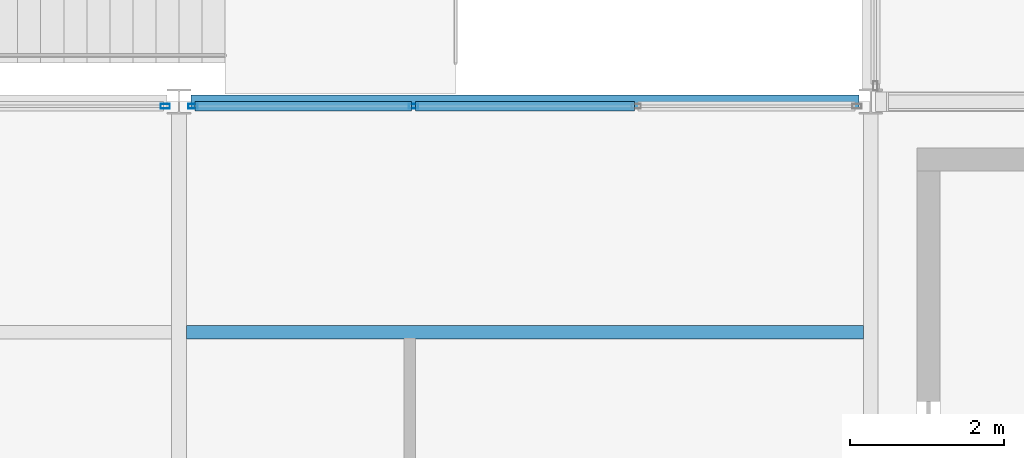
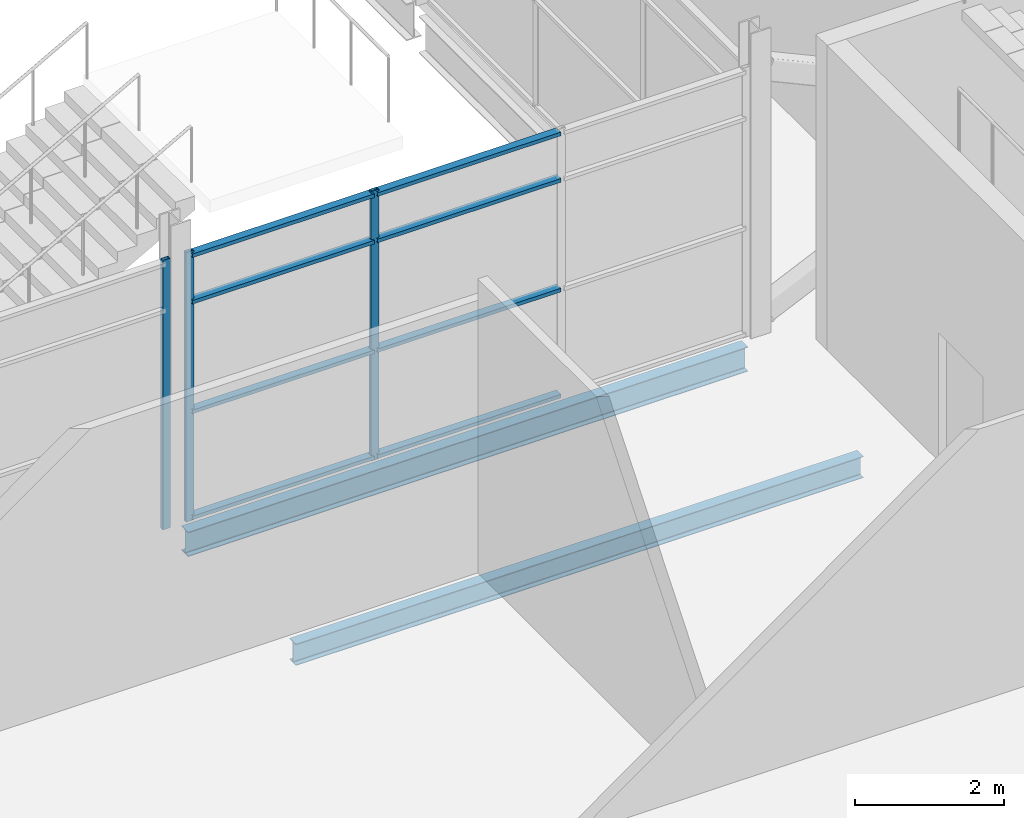
# One storey, part 28 of 112: 11 members, 2 beams, 2 elements without a shape of their own.
"""IFC4 building model written with IfcOpenShell, lengths in metres."""

from ifc_helpers import new_model, si_unit, direction, frame, origin, origin_2d, place, context, subcontext, project, spatial, hollow_rectangle, i_section, extrude, material, layer, layer_set, material_profile, profile_set, type_object, element, aggregate, save


model = new_model("IFC4")

# Units and contexts
model_context = context("Model", 3, precision=1e-05, world=origin(), true_north=direction((0.0, 1.0)))
body_context = subcontext(model_context, "Body", "Model", "MODEL_VIEW")
ifc_project = project(units=[si_unit("LENGTHUNIT", "METRE"), si_unit("AREAUNIT", "SQUARE_METRE"), si_unit("VOLUMEUNIT", "CUBIC_METRE"), si_unit("PLANEANGLEUNIT", "RADIAN"), si_unit("MASSUNIT", "GRAM", prefix="KILO")], contexts=[model_context])

# Site, building, storey
site_placement = place(None, origin())
site = spatial("IfcSite", under=ifc_project, at=site_placement, CompositionType="ELEMENT")
building_placement = place(site_placement, origin())
building = spatial("IfcBuilding", under=site, at=building_placement, Name="Shorebreak Coast Museum", CompositionType="ELEMENT")
storey_placement = place(building_placement, frame((0.0, 0.0, 6.0)))
storey = spatial("IfcBuildingStorey", under=building, at=storey_placement, Name="L01", CompositionType="ELEMENT", Elevation=6.0)

# Beams
ifc_material_1 = material(Name="Steel Grade 300", Category="steel")
ifc_material_profile_1 = material_profile(ifc_material_1, i_section(OverallWidth=0.177978515625, OverallDepth=0.402587890625, WebThickness=0.007568359375, FlangeThickness=0.010986328125, FilletRadius=0.011474609375, at=origin_2d()), Name="410UB53.7")
ifc_profile_set_1 = profile_set([ifc_material_profile_1], Name="Steel Grade 300")
beam_type_1 = type_object("IfcBeamType", Name="Floor girder east-west 410UB53.7", PredefinedType="BEAM", material=ifc_profile_set_1)
beam_1_placement = place(storey_placement, frame((99.155517578125, 63.0, -0.376220703125), z_axis=(1.0, 0.0, 0.0), x_axis=(0.0, 1.0, 0.0)))
element("IfcBeam", 1, at=beam_1_placement, inside=storey, type_object=beam_type_1, Name="Floor girder east-west L01 12H", PredefinedType="BEAM", context=body_context, shape_type="SweptSolid", body=[
    extrude(i_section(OverallWidth=0.177978515625, OverallDepth=0.402587890625, WebThickness=0.007568359375, FlangeThickness=0.010986328125, FilletRadius=0.011474609375, at=origin_2d()), origin(), (0.0, 0.0, 1.0), 8.68896484375),
])
ifc_material_2 = material(Name="Steel Grade 300", Category="steel")
ifc_material_profile_2 = material_profile(ifc_material_2, i_section(OverallWidth=0.1708984375, OverallDepth=0.35205078125, WebThickness=0.0068359375, FlangeThickness=0.009765625, FilletRadius=0.011474609375, at=origin_2d()), Name="360UB44.7")
ifc_profile_set_2 = profile_set([ifc_material_profile_2], Name="Steel Grade 300")
beam_type_2 = type_object("IfcBeamType", Name="Floor joist 360UB44.7", PredefinedType="JOIST", material=ifc_profile_set_2)
beam_2_placement = place(storey_placement, frame((99.095458984375, 60.0, -0.35107421875), z_axis=(1.0, 0.0, 0.0), x_axis=(0.0, 1.0, 0.0)))
element("IfcBeam", 2, at=beam_2_placement, inside=storey, type_object=beam_type_2, Name="Floor joist L01 bay 12G at 6000 mm", PredefinedType="JOIST", context=body_context, shape_type="SweptSolid", body=[
    extrude(i_section(OverallWidth=0.1708984375, OverallDepth=0.35205078125, WebThickness=0.0068359375, FlangeThickness=0.009765625, FilletRadius=0.011474609375, at=origin_2d()), origin(), (0.0, 0.0, 1.0), 8.80908203125),
])

# Curtain wall, member
ifc_material_3 = material(Name="Aluminium", Category="aluminium")
ifc_layer = layer(ifc_material_3, 0.1201171875)
ifc_layer_set = layer_set([ifc_layer], Name="Aluminium")
curtain_wall_type = type_object("IfcCurtainWallType", Name="Atrium fire screen", PredefinedType="NOTDEFINED", material=ifc_layer_set)
curtain_wall_1_placement = place(storey_placement, origin())
curtain_wall_1 = element("IfcCurtainWall", 3, at=curtain_wall_1_placement, inside=storey, type_object=curtain_wall_type, Name="Atrium screen L01 S 5", PredefinedType="NOTDEFINED")
ifc_material_4 = material(Name="Aluminium", Category="aluminium")
ifc_material_profile_3 = material_profile(ifc_material_4, hollow_rectangle(XDim=0.06005859375, YDim=0.1201171875, WallThickness=0.00341796875, at=origin_2d()), Name="AL 120x60 RHS")
ifc_profile_set_3 = profile_set([ifc_material_profile_3], Name="Aluminium")
member_type_1 = type_object("IfcMemberType", Name="Screen mullion 50 x 120", PredefinedType="MULLION", material=ifc_profile_set_3)
member_1_placement = place(storey_placement, frame((98.819580078125, 62.93994140625, 0.0), z_axis=(0.0, 0.0, 1.0), x_axis=(0.0, 1.0, 0.0)))
member_1 = element("IfcMember", 4, at=member_1_placement, type_object=member_type_1, Name="CW6 mullion 4", PredefinedType="MULLION", context=body_context, shape_type="SweptSolid", body=[
    extrude(hollow_rectangle(XDim=0.06005859375, YDim=0.1201171875, WallThickness=0.00341796875, at=origin_2d()), origin(), (0.0, 0.0, 1.0), 4.42236328125),
])
aggregate(curtain_wall_1, [member_1])

# Curtain wall, members
curtain_wall_2_placement = place(storey_placement, origin())
curtain_wall_2 = element("IfcCurtainWall", 5, at=curtain_wall_2_placement, inside=storey, type_object=curtain_wall_type, Name="Atrium screen L01 S 6", PredefinedType="NOTDEFINED")
member_2_placement = place(storey_placement, frame((99.180419921875, 62.93994140625, 0.0), z_axis=(0.0, 0.0, 1.0), x_axis=(0.0, 1.0, 0.0)))
member_2 = element("IfcMember", 6, at=member_2_placement, type_object=member_type_1, Name="CW4 mullion 1", PredefinedType="MULLION", context=body_context, shape_type="SweptSolid", body=[
    extrude(hollow_rectangle(XDim=0.06005859375, YDim=0.1201171875, WallThickness=0.00341796875, at=origin_2d()), origin(), (0.0, 0.0, 1.0), 4.42236328125),
])
member_3_placement = place(storey_placement, frame((102.0517578125, 62.93994140625, 0.0), z_axis=(0.0, 0.0, 1.0), x_axis=(0.0, 1.0, 0.0)))
member_3 = element("IfcMember", 7, at=member_3_placement, type_object=member_type_1, Name="CW4 mullion 2", PredefinedType="MULLION", context=body_context, shape_type="SweptSolid", body=[
    extrude(hollow_rectangle(XDim=0.06005859375, YDim=0.1201171875, WallThickness=0.00341796875, at=origin_2d()), origin(), (0.0, 0.0, 1.0), 4.42236328125),
])
ifc_material_5 = material(Name="Aluminium", Category="aluminium")
ifc_material_profile_4 = material_profile(ifc_material_5, hollow_rectangle(XDim=0.1201171875, YDim=0.06005859375, WallThickness=0.00341796875, at=origin_2d()), Name="AL 60x120 RHS")
ifc_profile_set_4 = profile_set([ifc_material_profile_4], Name="Aluminium")
member_type_2 = type_object("IfcMemberType", Name="Screen transom 120 x 50", PredefinedType="USERDEFINED", material=ifc_profile_set_4)
member_4_placement = place(storey_placement, frame((99.20556640625, 62.93994140625, 0.06005859375), z_axis=(1.0, 0.0, 0.0), x_axis=(0.0, 1.0, 0.0)))
member_4 = element("IfcMember", 8, at=member_4_placement, type_object=member_type_2, Name="CW4 transom 1.1", ObjectType="TRANSOM", PredefinedType="USERDEFINED", context=body_context, shape_type="SweptSolid", body=[
    extrude(hollow_rectangle(XDim=0.1201171875, YDim=0.06005859375, WallThickness=0.00341796875, at=origin_2d()), origin(), (0.0, 0.0, 1.0), 2.8212890625),
])
member_5_placement = place(storey_placement, frame((99.20556640625, 62.93994140625, 1.800048828125), z_axis=(1.0, 0.0, 0.0), x_axis=(0.0, 1.0, 0.0)))
member_5 = element("IfcMember", 9, at=member_5_placement, type_object=member_type_2, Name="CW4 transom 1.2", ObjectType="TRANSOM", PredefinedType="USERDEFINED", context=body_context, shape_type="SweptSolid", body=[
    extrude(hollow_rectangle(XDim=0.1201171875, YDim=0.06005859375, WallThickness=0.00341796875, at=origin_2d()), origin(), (0.0, 0.0, 1.0), 2.8212890625),
])
member_6_placement = place(storey_placement, frame((99.20556640625, 62.93994140625, 3.60009765625), z_axis=(1.0, 0.0, 0.0), x_axis=(0.0, 1.0, 0.0)))
member_6 = element("IfcMember", 10, at=member_6_placement, type_object=member_type_2, Name="CW4 transom 1.3", ObjectType="TRANSOM", PredefinedType="USERDEFINED", context=body_context, shape_type="SweptSolid", body=[
    extrude(hollow_rectangle(XDim=0.1201171875, YDim=0.06005859375, WallThickness=0.00341796875, at=origin_2d()), origin(), (0.0, 0.0, 1.0), 2.8212890625),
])
member_7_placement = place(storey_placement, frame((99.20556640625, 62.93994140625, 4.3623046875), z_axis=(1.0, 0.0, 0.0), x_axis=(0.0, 1.0, 0.0)))
member_7 = element("IfcMember", 11, at=member_7_placement, type_object=member_type_2, Name="CW4 transom 1.4", ObjectType="TRANSOM", PredefinedType="USERDEFINED", context=body_context, shape_type="SweptSolid", body=[
    extrude(hollow_rectangle(XDim=0.1201171875, YDim=0.06005859375, WallThickness=0.00341796875, at=origin_2d()), origin(), (0.0, 0.0, 1.0), 2.8212890625),
])
member_8_placement = place(storey_placement, frame((102.076904296875, 62.93994140625, 0.06005859375), z_axis=(1.0, 0.0, 0.0), x_axis=(0.0, 1.0, 0.0)))
member_8 = element("IfcMember", 12, at=member_8_placement, type_object=member_type_2, Name="CW4 transom 2.1", ObjectType="TRANSOM", PredefinedType="USERDEFINED", context=body_context, shape_type="SweptSolid", body=[
    extrude(hollow_rectangle(XDim=0.1201171875, YDim=0.06005859375, WallThickness=0.00341796875, at=origin_2d()), origin(), (0.0, 0.0, 1.0), 2.84619140625),
])
member_9_placement = place(storey_placement, frame((102.076904296875, 62.93994140625, 1.800048828125), z_axis=(1.0, 0.0, 0.0), x_axis=(0.0, 1.0, 0.0)))
member_9 = element("IfcMember", 13, at=member_9_placement, type_object=member_type_2, Name="CW4 transom 2.2", ObjectType="TRANSOM", PredefinedType="USERDEFINED", context=body_context, shape_type="SweptSolid", body=[
    extrude(hollow_rectangle(XDim=0.1201171875, YDim=0.06005859375, WallThickness=0.00341796875, at=origin_2d()), origin(), (0.0, 0.0, 1.0), 2.84619140625),
])
member_10_placement = place(storey_placement, frame((102.076904296875, 62.93994140625, 3.60009765625), z_axis=(1.0, 0.0, 0.0), x_axis=(0.0, 1.0, 0.0)))
member_10 = element("IfcMember", 14, at=member_10_placement, type_object=member_type_2, Name="CW4 transom 2.3", ObjectType="TRANSOM", PredefinedType="USERDEFINED", context=body_context, shape_type="SweptSolid", body=[
    extrude(hollow_rectangle(XDim=0.1201171875, YDim=0.06005859375, WallThickness=0.00341796875, at=origin_2d()), origin(), (0.0, 0.0, 1.0), 2.84619140625),
])
member_11_placement = place(storey_placement, frame((102.076904296875, 62.93994140625, 4.3623046875), z_axis=(1.0, 0.0, 0.0), x_axis=(0.0, 1.0, 0.0)))
member_11 = element("IfcMember", 15, at=member_11_placement, type_object=member_type_2, Name="CW4 transom 2.4", ObjectType="TRANSOM", PredefinedType="USERDEFINED", context=body_context, shape_type="SweptSolid", body=[
    extrude(hollow_rectangle(XDim=0.1201171875, YDim=0.06005859375, WallThickness=0.00341796875, at=origin_2d()), origin(), (0.0, 0.0, 1.0), 2.84619140625),
])
aggregate(curtain_wall_2, [member_2, member_3, member_4, member_5, member_6, member_7, member_8, member_9, member_10, member_11])

save(model, "model.ifc")
